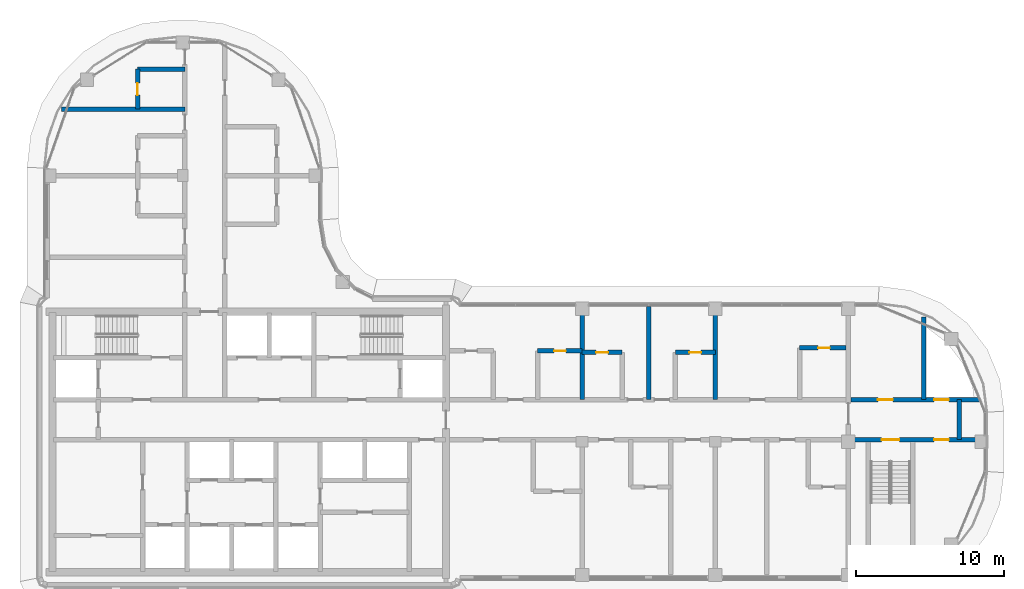
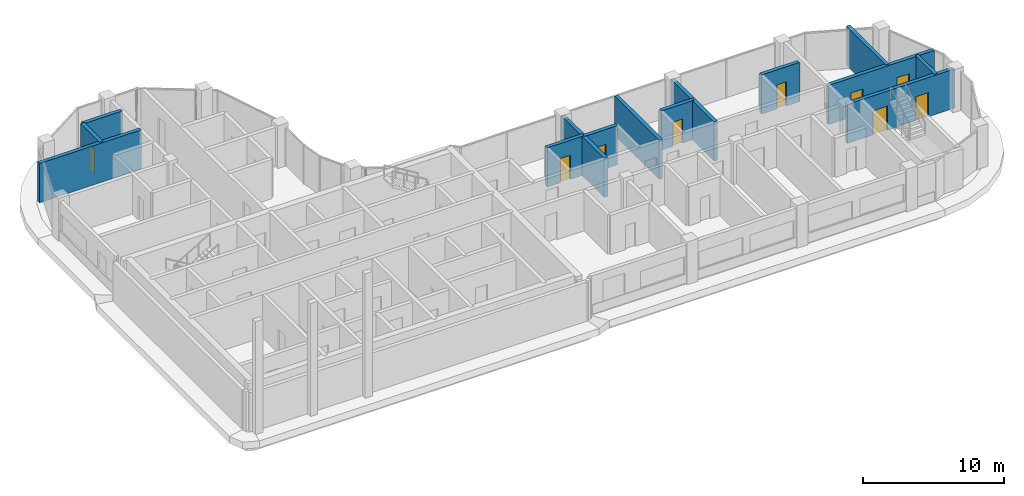
# One storey, part 13 of 20: 14 walls, 9 doors, 9 openings.
"""IFC4 building model written with IfcOpenShell, lengths in metres."""

from ifc_helpers import new_model, si_unit, direction, frame, frame_2d, origin, place, context, subcontext, project, spatial, rectangle, extrude, material, layer, layer_set, type_object, element, fill, save


model = new_model("IFC4")

# Units and contexts
model_context = context("Model", 3, precision=1e-05, world=origin(), true_north=direction((0.0, 1.0)))
body_context = subcontext(model_context, "Body", "Model", "MODEL_VIEW")
ifc_project = project(units=[si_unit("LENGTHUNIT", "METRE"), si_unit("AREAUNIT", "SQUARE_METRE"), si_unit("VOLUMEUNIT", "CUBIC_METRE"), si_unit("PLANEANGLEUNIT", "RADIAN"), si_unit("MASSUNIT", "GRAM", prefix="KILO")], contexts=[model_context])

# Site, building, storey
site_placement = place(None, origin())
site = spatial("IfcSite", under=ifc_project, at=site_placement, CompositionType="ELEMENT")
building_placement = place(site_placement, origin())
building = spatial("IfcBuilding", under=site, at=building_placement, Name="Ogive Portal Towers", CompositionType="ELEMENT")
storey_placement = place(building_placement, frame((0.0, 0.0, 214.300048828125)))
storey = spatial("IfcBuildingStorey", under=building, at=storey_placement, Name="L53", CompositionType="ELEMENT", Elevation=214.300048828125)

# Wall, openings, doors
ifc_material_1 = material(Name="Concrete C50/60", Category="concrete")
ifc_layer_1 = layer(ifc_material_1, 0.300048828125)
ifc_layer_set_1 = layer_set([ifc_layer_1], Name="STAIR WALL 300 C50")
wall_type_1 = type_object("IfcWallType", Name="STAIR WALL 300 C50", PredefinedType="SHEAR", material=ifc_layer_set_1)
wall_1_placement = place(storey_placement, frame((85.669921875, 30.64990234375, 0.0), z_axis=(0.0, 0.0, 1.0), x_axis=(1.0, 0.0, 0.0)))
wall_1 = element("IfcWall", 1, at=wall_1_placement, inside=storey, type_object=wall_type_1, Name="Stair wall ST-A4 L53", PredefinedType="SHEAR", context=body_context, shape_type="SweptSolid", body=[
    extrude(rectangle(XDim=8.800048828125, YDim=0.300048828125, at=frame_2d((4.39990234375, 0.0))), origin(), (0.0, 0.0, 1.0), 3.39990234375),
])
opening_1_placement = place(wall_1_placement, frame((2.080078125, 0.0, 0.0)))
opening_1 = element("IfcOpeningElement", 2, at=opening_1_placement, cuts=wall_1, Name="Opening D24-053", PredefinedType="OPENING", context=body_context, shape_type="SweptSolid", body=[
    extrude(rectangle(XDim=1.199951171875, YDim=2.10009765625, at=frame_2d((0.60009765625, 1.050048828125))), frame((0.0, 0.16015625, 0.0), z_axis=(0.0, -1.0, 0.0), x_axis=(1.0, 0.0, 0.0)), (0.0, 0.0, 1.0), 0.320068359375),
])
opening_2_placement = place(wall_1_placement, frame((5.6298828125, 0.0, 0.0)))
opening_2 = element("IfcOpeningElement", 3, at=opening_2_placement, cuts=wall_1, Name="Opening D24-056", PredefinedType="OPENING", context=body_context, shape_type="SweptSolid", body=[
    extrude(rectangle(XDim=1.0, YDim=2.10009765625, at=frame_2d((0.5, 1.050048828125))), frame((0.0, 0.16015625, 0.0), z_axis=(0.0, -1.0, 0.0), x_axis=(1.0, 0.0, 0.0)), (0.0, 0.0, 1.0), 0.320068359375),
])
ifc_material_2 = material(Name="Steel fire door", Category="steel")
door_type_1 = type_object("IfcDoorType", Name="DT-SERVICE-1000x2100-FD90S", OperationType="SINGLE_SWING_LEFT", PredefinedType="DOOR", material=ifc_material_2)
door_1_placement = place(opening_2_placement, origin())
door_1 = element("IfcDoor", 4, at=door_1_placement, inside=storey, type_object=door_type_1, Name="Door D24-056", OperationType="SINGLE_SWING_LEFT", OverallHeight=2.10009765625, OverallWidth=1.0, PredefinedType="DOOR", context=body_context, shape_type="SweptSolid", body=[
    extrude(rectangle(XDim=1.0, YDim=2.10009765625, at=frame_2d((0.5, 1.050048828125))), frame((0.0, 0.02490234375, 0.0), z_axis=(0.0, -1.0, 0.0), x_axis=(1.0, 0.0, 0.0)), (0.0, 0.0, 1.0), 0.050048828125),
])
fill(opening_2, door_1)
door_type_2 = type_object("IfcDoorType", Name="DT-STAIR-1200x2100-FD90S", OperationType="SINGLE_SWING_LEFT", PredefinedType="DOOR", material=ifc_material_2)
door_2_placement = place(opening_1_placement, origin())
door_2 = element("IfcDoor", 5, at=door_2_placement, inside=storey, type_object=door_type_2, Name="Door D24-053", OperationType="SINGLE_SWING_LEFT", OverallHeight=2.10009765625, OverallWidth=1.199951171875, PredefinedType="DOOR", context=body_context, shape_type="SweptSolid", body=[
    extrude(rectangle(XDim=1.199951171875, YDim=2.10009765625, at=frame_2d((0.60009765625, 1.050048828125))), frame((0.0, 0.02490234375, 0.0), z_axis=(0.0, -1.0, 0.0), x_axis=(1.0, 0.0, 0.0)), (0.0, 0.0, 1.0), 0.050048828125),
])
fill(opening_1, door_2)

ifc_material_3 = material(Name="Gypsum board partition on steel studs", Category="steel")
ifc_layer_2 = layer(ifc_material_3, 0.300048828125)
ifc_layer_set_2 = layer_set([ifc_layer_2], Name="WT-PART-300-EI 120")
wall_type_2 = type_object("IfcWallType", Name="WT-PART-300-EI 120", PredefinedType="PARTITIONING", material=ifc_layer_set_2)
wall_2_placement = place(storey_placement, frame((85.669921875, 33.35009765625, 0.0), z_axis=(0.0, 0.0, 1.0), x_axis=(1.0, 0.0, 0.0)))
wall_2 = element("IfcWall", 6, at=wall_2_placement, inside=storey, type_object=wall_type_2, Name="Wall L53:w008", PredefinedType="PARTITIONING", context=body_context, shape_type="SweptSolid", body=[
    extrude(rectangle(XDim=8.68505859375, YDim=0.300048828125, at=frame_2d((4.342529296875, 0.0))), origin(), (0.0, 0.0, 1.0), 3.39990234375),
])
opening_3_placement = place(wall_2_placement, frame((1.830078125, 0.0, 0.0)))
opening_3 = element("IfcOpeningElement", 7, at=opening_3_placement, cuts=wall_2, Name="Opening D24-054", PredefinedType="OPENING", context=body_context, shape_type="SweptSolid", body=[
    extrude(rectangle(XDim=1.0, YDim=2.10009765625, at=frame_2d((0.5, 1.050048828125))), frame((0.0, 0.16015625, 0.0), z_axis=(0.0, -1.0, 0.0), x_axis=(1.0, 0.0, 0.0)), (0.0, 0.0, 1.0), 0.320068359375),
])
opening_4_placement = place(wall_2_placement, frame((5.6298828125, 0.0, 0.0)))
opening_4 = element("IfcOpeningElement", 8, at=opening_4_placement, cuts=wall_2, Name="Opening D24-055", PredefinedType="OPENING", context=body_context, shape_type="SweptSolid", body=[
    extrude(rectangle(XDim=1.0, YDim=2.10009765625, at=frame_2d((0.5, 1.050048828125))), frame((0.0, 0.16015625, 0.0), z_axis=(0.0, -1.0, 0.0), x_axis=(1.0, 0.0, 0.0)), (0.0, 0.0, 1.0), 0.320068359375),
])
door_3_placement = place(opening_3_placement, origin())
door_3 = element("IfcDoor", 9, at=door_3_placement, inside=storey, type_object=door_type_1, Name="Door D24-054", OperationType="SINGLE_SWING_LEFT", OverallHeight=2.10009765625, OverallWidth=1.0, PredefinedType="DOOR", context=body_context, shape_type="SweptSolid", body=[
    extrude(rectangle(XDim=1.0, YDim=2.10009765625, at=frame_2d((0.5, 1.050048828125))), frame((0.0, 0.02490234375, 0.0), z_axis=(0.0, -1.0, 0.0), x_axis=(1.0, 0.0, 0.0)), (0.0, 0.0, 1.0), 0.050048828125),
])
fill(opening_3, door_3)
door_4_placement = place(opening_4_placement, origin())
door_4 = element("IfcDoor", 10, at=door_4_placement, inside=storey, type_object=door_type_1, Name="Riser access door D24-055", OperationType="SINGLE_SWING_RIGHT", OverallHeight=2.10009765625, OverallWidth=1.0, PredefinedType="DOOR", context=body_context, shape_type="SweptSolid", body=[
    extrude(rectangle(XDim=1.0, YDim=2.10009765625, at=frame_2d((0.5, 1.050048828125))), frame((0.0, 0.02490234375, 0.0), z_axis=(0.0, -1.0, 0.0), x_axis=(1.0, 0.0, 0.0)), (0.0, 0.0, 1.0), 0.050048828125),
])
fill(opening_4, door_4)

# Wall
wall_3_placement = place(storey_placement, frame((93.0, 30.64990234375, 0.0), z_axis=(0.0, 0.0, 1.0), x_axis=(0.0, 1.0, 0.0)))
element("IfcWall", 11, at=wall_3_placement, inside=storey, type_object=wall_type_2, Name="Wall L53:w046", PredefinedType="PARTITIONING", context=body_context, shape_type="SweptSolid", body=[
    extrude(rectangle(XDim=2.7001953125, YDim=0.300048828125, at=frame_2d((1.35009765625, 0.0))), origin(), (0.0, 0.0, 1.0), 3.39990234375),
])

# Wall, opening, door
ifc_layer_3 = layer(ifc_material_3, 0.300048828125)
ifc_layer_set_3 = layer_set([ifc_layer_3], Name="WT-PART-300-EI 60")
wall_type_3 = type_object("IfcWallType", Name="WT-PART-300-EI 60", PredefinedType="PARTITIONING", material=ifc_layer_set_3)
wall_4_placement = place(storey_placement, frame((67.5, 36.550048828125, 0.0), z_axis=(0.0, 0.0, 1.0), x_axis=(1.0, 0.0, 0.0)))
wall_4 = element("IfcWall", 12, at=wall_4_placement, inside=storey, type_object=wall_type_3, Name="Wall L53:w009", PredefinedType="PARTITIONING", context=body_context, shape_type="SweptSolid", body=[
    extrude(rectangle(XDim=2.699951171875, YDim=0.300048828125, at=frame_2d((1.35009765625, 0.0))), origin(), (0.0, 0.0, 1.0), 3.39990234375),
])
opening_5_placement = place(wall_4_placement, frame((0.949951171875, 0.0, 0.0)))
opening_5 = element("IfcOpeningElement", 13, at=opening_5_placement, cuts=wall_4, Name="Opening D24-030", PredefinedType="OPENING", context=body_context, shape_type="SweptSolid", body=[
    extrude(rectangle(XDim=0.800048828125, YDim=2.10009765625, at=frame_2d((0.39990234375, 1.050048828125))), frame((0.0, 0.16015625, 0.0), z_axis=(0.0, -1.0, 0.0), x_axis=(1.0, 0.0, 0.0)), (0.0, 0.0, 1.0), 0.320068359375),
])
door_type_3 = type_object("IfcDoorType", Name="DT-BATH-800x2100-FD60S", OperationType="SINGLE_SWING_LEFT", PredefinedType="DOOR", material=ifc_material_2)
door_5_placement = place(opening_5_placement, origin())
door_5 = element("IfcDoor", 14, at=door_5_placement, inside=storey, type_object=door_type_3, Name="Door D24-030", OperationType="SINGLE_SWING_LEFT", OverallHeight=2.10009765625, OverallWidth=0.800048828125, PredefinedType="DOOR", context=body_context, shape_type="SweptSolid", body=[
    extrude(rectangle(XDim=0.800048828125, YDim=2.10009765625, at=frame_2d((0.39990234375, 1.050048828125))), frame((0.0, 0.02490234375, 0.0), z_axis=(0.0, -1.0, 0.0), x_axis=(1.0, 0.0, 0.0)), (0.0, 0.0, 1.0), 0.050048828125),
])
fill(opening_5, door_5)

wall_5_placement = place(storey_placement, frame((73.800048828125, 36.550048828125, 0.0), z_axis=(0.0, 0.0, 1.0), x_axis=(1.0, 0.0, 0.0)))
wall_5 = element("IfcWall", 15, at=wall_5_placement, inside=storey, type_object=wall_type_3, Name="Wall L53:w010", PredefinedType="PARTITIONING", context=body_context, shape_type="SweptSolid", body=[
    extrude(rectangle(XDim=2.699951171875, YDim=0.300048828125, at=frame_2d((1.35009765625, 0.0))), origin(), (0.0, 0.0, 1.0), 3.39990234375),
])
opening_6_placement = place(wall_5_placement, frame((0.949951171875, 0.0, 0.0)))
opening_6 = element("IfcOpeningElement", 16, at=opening_6_placement, cuts=wall_5, Name="Opening D24-032", PredefinedType="OPENING", context=body_context, shape_type="SweptSolid", body=[
    extrude(rectangle(XDim=0.800048828125, YDim=2.10009765625, at=frame_2d((0.39990234375, 1.050048828125))), frame((0.0, 0.16015625, 0.0), z_axis=(0.0, -1.0, 0.0), x_axis=(1.0, 0.0, 0.0)), (0.0, 0.0, 1.0), 0.320068359375),
])
door_6_placement = place(opening_6_placement, origin())
door_6 = element("IfcDoor", 17, at=door_6_placement, inside=storey, type_object=door_type_3, Name="Door D24-032", OperationType="SINGLE_SWING_RIGHT", OverallHeight=2.10009765625, OverallWidth=0.800048828125, PredefinedType="DOOR", context=body_context, shape_type="SweptSolid", body=[
    extrude(rectangle(XDim=0.800048828125, YDim=2.10009765625, at=frame_2d((0.39990234375, 1.050048828125))), frame((0.0, 0.02490234375, 0.0), z_axis=(0.0, -1.0, 0.0), x_axis=(1.0, 0.0, 0.0)), (0.0, 0.0, 1.0), 0.050048828125),
])
fill(opening_6, door_6)

wall_6_placement = place(storey_placement, frame((64.5, 36.64990234375, 0.0), z_axis=(0.0, 0.0, 1.0), x_axis=(1.0, 0.0, 0.0)))
wall_6 = element("IfcWall", 18, at=wall_6_placement, inside=storey, type_object=wall_type_3, Name="Wall L53:w012", PredefinedType="PARTITIONING", context=body_context, shape_type="SweptSolid", body=[
    extrude(rectangle(XDim=3.0, YDim=0.300048828125, at=frame_2d((1.5, 0.0))), origin(), (0.0, 0.0, 1.0), 3.39990234375),
])
opening_7_placement = place(wall_6_placement, frame((1.10009765625, 0.0, 0.0)))
opening_7 = element("IfcOpeningElement", 19, at=opening_7_placement, cuts=wall_6, Name="Opening D24-026", PredefinedType="OPENING", context=body_context, shape_type="SweptSolid", body=[
    extrude(rectangle(XDim=0.800048828125, YDim=2.10009765625, at=frame_2d((0.39990234375, 1.050048828125))), frame((0.0, 0.16015625, 0.0), z_axis=(0.0, -1.0, 0.0), x_axis=(1.0, 0.0, 0.0)), (0.0, 0.0, 1.0), 0.320068359375),
])
door_7_placement = place(opening_7_placement, origin())
door_7 = element("IfcDoor", 20, at=door_7_placement, inside=storey, type_object=door_type_3, Name="Door D24-026", OperationType="SINGLE_SWING_RIGHT", OverallHeight=2.10009765625, OverallWidth=0.800048828125, PredefinedType="DOOR", context=body_context, shape_type="SweptSolid", body=[
    extrude(rectangle(XDim=0.800048828125, YDim=2.10009765625, at=frame_2d((0.39990234375, 1.050048828125))), frame((0.0, 0.02490234375, 0.0), z_axis=(0.0, -1.0, 0.0), x_axis=(1.0, 0.0, 0.0)), (0.0, 0.0, 1.0), 0.050048828125),
])
fill(opening_7, door_7)

wall_7_placement = place(storey_placement, frame((82.199951171875, 36.85009765625, 0.0), z_axis=(0.0, 0.0, 1.0), x_axis=(1.0, 0.0, 0.0)))
wall_7 = element("IfcWall", 21, at=wall_7_placement, inside=storey, type_object=wall_type_3, Name="Wall L53:w013", PredefinedType="PARTITIONING", context=body_context, shape_type="SweptSolid", body=[
    extrude(rectangle(XDim=3.130126953125, YDim=0.300048828125, at=frame_2d((1.56494140625, 0.0))), origin(), (0.0, 0.0, 1.0), 3.39990234375),
])
opening_8_placement = place(wall_7_placement, frame((1.25, 0.0, 0.0)))
opening_8 = element("IfcOpeningElement", 22, at=opening_8_placement, cuts=wall_7, Name="Opening D24-037", PredefinedType="OPENING", context=body_context, shape_type="SweptSolid", body=[
    extrude(rectangle(XDim=0.800048828125, YDim=2.10009765625, at=frame_2d((0.39990234375, 1.050048828125))), frame((0.0, 0.16015625, 0.0), z_axis=(0.0, -1.0, 0.0), x_axis=(1.0, 0.0, 0.0)), (0.0, 0.0, 1.0), 0.320068359375),
])
door_8_placement = place(opening_8_placement, origin())
door_8 = element("IfcDoor", 23, at=door_8_placement, inside=storey, type_object=door_type_3, Name="Door D24-037", OperationType="SINGLE_SWING_LEFT", OverallHeight=2.10009765625, OverallWidth=0.800048828125, PredefinedType="DOOR", context=body_context, shape_type="SweptSolid", body=[
    extrude(rectangle(XDim=0.800048828125, YDim=2.10009765625, at=frame_2d((0.39990234375, 1.050048828125))), frame((0.0, 0.02490234375, 0.0), z_axis=(0.0, -1.0, 0.0), x_axis=(1.0, 0.0, 0.0)), (0.0, 0.0, 1.0), 0.050048828125),
])
fill(opening_8, door_8)

# Walls
wall_8_placement = place(storey_placement, frame((32.2900390625, 53.0, 0.0), z_axis=(0.0, 0.0, 1.0), x_axis=(1.0, 0.0, 0.0)))
element("IfcWall", 24, at=wall_8_placement, inside=storey, type_object=wall_type_3, Name="Wall L53:w021", PredefinedType="PARTITIONING", context=body_context, shape_type="SweptSolid", body=[
    extrude(rectangle(XDim=8.35986328125, YDim=0.300048828125, at=frame_2d((4.179931640625, 0.0))), origin(), (0.0, 0.0, 1.0), 3.39990234375),
])
wall_9_placement = place(storey_placement, frame((37.449951171875, 55.699951171875, 0.0), z_axis=(0.0, 0.0, 1.0), x_axis=(1.0, 0.0, 0.0)))
element("IfcWall", 25, at=wall_9_placement, inside=storey, type_object=wall_type_3, Name="Wall L53:w022", PredefinedType="PARTITIONING", context=body_context, shape_type="SweptSolid", body=[
    extrude(rectangle(XDim=3.199951171875, YDim=0.300048828125, at=frame_2d((1.60009765625, 0.0))), origin(), (0.0, 0.0, 1.0), 3.39990234375),
])

# Wall, opening, door
wall_10_placement = place(storey_placement, frame((37.449951171875, 53.0, 0.0), z_axis=(0.0, 0.0, 1.0), x_axis=(0.0, 1.0, 0.0)))
wall_10 = element("IfcWall", 26, at=wall_10_placement, inside=storey, type_object=wall_type_3, Name="Wall L53:w024", PredefinedType="PARTITIONING", context=body_context, shape_type="SweptSolid", body=[
    extrude(rectangle(XDim=2.699951171875, YDim=0.300048828125, at=frame_2d((1.35009765625, 0.0))), origin(), (0.0, 0.0, 1.0), 3.39990234375),
])
opening_9_placement = place(wall_10_placement, frame((0.949951171875, 0.0, 0.0)))
opening_9 = element("IfcOpeningElement", 27, at=opening_9_placement, cuts=wall_10, Name="Opening D24-051", PredefinedType="OPENING", context=body_context, shape_type="SweptSolid", body=[
    extrude(rectangle(XDim=0.800048828125, YDim=2.10009765625, at=frame_2d((0.39990234375, 1.050048828125))), frame((0.0, 0.16015625, 0.0), z_axis=(0.0, -1.0, 0.0), x_axis=(1.0, 0.0, 0.0)), (0.0, 0.0, 1.0), 0.320068359375),
])
door_9_placement = place(opening_9_placement, origin())
door_9 = element("IfcDoor", 28, at=door_9_placement, inside=storey, type_object=door_type_3, Name="Door D24-051", OperationType="SINGLE_SWING_LEFT", OverallHeight=2.10009765625, OverallWidth=0.800048828125, PredefinedType="DOOR", context=body_context, shape_type="SweptSolid", body=[
    extrude(rectangle(XDim=0.800048828125, YDim=2.10009765625, at=frame_2d((0.39990234375, 1.050048828125))), frame((0.0, 0.02490234375, 0.0), z_axis=(0.0, -1.0, 0.0), x_axis=(1.0, 0.0, 0.0)), (0.0, 0.0, 1.0), 0.050048828125),
])
fill(opening_9, door_9)

# Walls
wall_11_placement = place(storey_placement, frame((67.5, 33.35009765625, 0.0), z_axis=(0.0, 0.0, 1.0), x_axis=(0.0, 1.0, 0.0)))
element("IfcWall", 29, at=wall_11_placement, inside=storey, type_object=wall_type_3, Name="Wall L53:w032", PredefinedType="PARTITIONING", context=body_context, shape_type="SweptSolid", body=[
    extrude(rectangle(XDim=6.119873046875, YDim=0.300048828125, at=frame_2d((3.06005859375, 0.0))), origin(), (0.0, 0.0, 1.0), 3.39990234375),
])
wall_12_placement = place(storey_placement, frame((72.0, 33.35009765625, 0.0), z_axis=(0.0, 0.0, 1.0), x_axis=(0.0, 1.0, 0.0)))
element("IfcWall", 30, at=wall_12_placement, inside=storey, type_object=wall_type_3, Name="Wall L53:w035", PredefinedType="PARTITIONING", context=body_context, shape_type="SweptSolid", body=[
    extrude(rectangle(XDim=6.2998046875, YDim=0.300048828125, at=frame_2d((3.14990234375, 0.0))), origin(), (0.0, 0.0, 1.0), 3.39990234375),
])
wall_13_placement = place(storey_placement, frame((76.5, 33.35009765625, 0.0), z_axis=(0.0, 0.0, 1.0), x_axis=(0.0, 1.0, 0.0)))
element("IfcWall", 31, at=wall_13_placement, inside=storey, type_object=wall_type_3, Name="Wall L53:w039", PredefinedType="PARTITIONING", context=body_context, shape_type="SweptSolid", body=[
    extrude(rectangle(XDim=6.119873046875, YDim=0.300048828125, at=frame_2d((3.06005859375, 0.0))), origin(), (0.0, 0.0, 1.0), 3.39990234375),
])
wall_14_placement = place(storey_placement, frame((90.60009765625, 33.35009765625, 0.0), z_axis=(0.0, 0.0, 1.0), x_axis=(0.0, 1.0, 0.0)))
element("IfcWall", 32, at=wall_14_placement, inside=storey, type_object=wall_type_3, Name="Wall L53:w045", PredefinedType="PARTITIONING", context=body_context, shape_type="SweptSolid", body=[
    extrude(rectangle(XDim=5.602783203125, YDim=0.300048828125, at=frame_2d((2.80126953125, 0.0))), origin(), (0.0, 0.0, 1.0), 3.39990234375),
])

save(model, "model.ifc")
